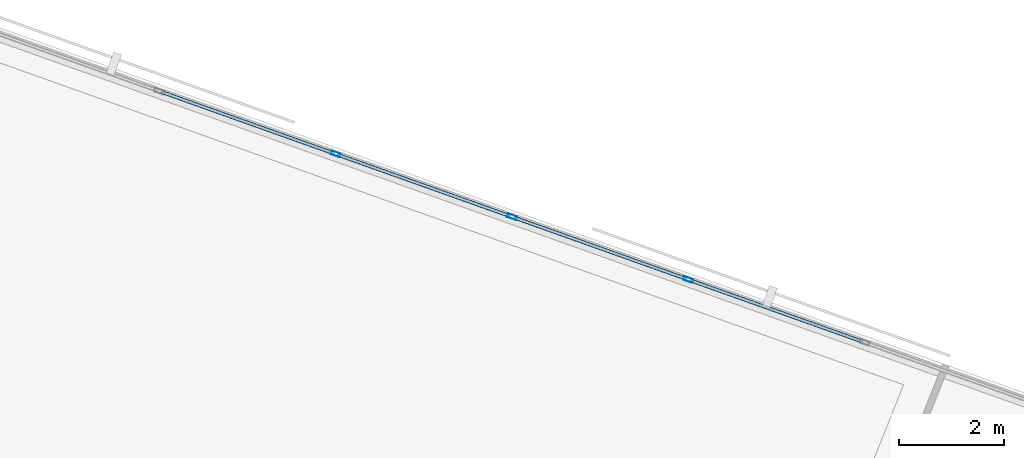
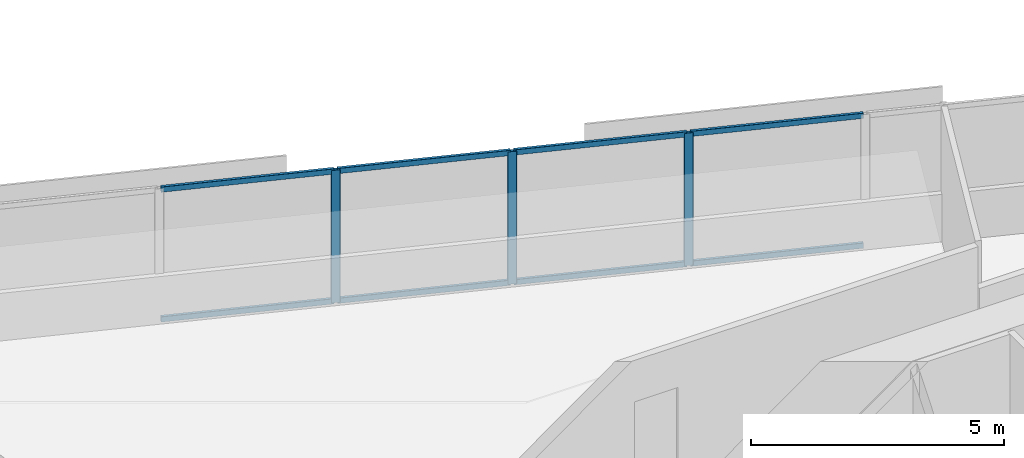
# One storey, part 7 of 14: 11 members, 1 element without a shape of its own.
"""IFC4 building model written with IfcOpenShell, lengths in metres."""

import ifcopenshell
import ifcopenshell.guid

model = None  # the IFC model being written
_history = None  # IfcOwnerHistory: only IFC2X3 demands one
_inside = {}  # id of a spatial element -> (the spatial element, [elements in it])
_under = {}  # id of a project, library or spatial element -> (it, [spatial elements below it])
_declared = {}  # id of a project -> (the project, [libraries it declares])
_typed = {}  # id of a type object -> (the type object, [elements of that type])
_made_of = {}  # id of a material, layer set ... -> (it, [elements and type objects made of it])


def new_model(schema):
    """Start an empty IFC model of exactly this schema.

    Asked for "IFC4X3", IfcOpenShell would pick the latest addendum, in which some entities
    have other attributes; the version numbers below select the first issue.
    IFC2X3 requires an IfcOwnerHistory on every rooted entity: one is made here for all.
    """
    global model, _history
    if schema == "IFC4X3":
        model = ifcopenshell.file(schema_version=(4, 3, 0, 0))
    else:
        model = ifcopenshell.file(schema=schema)
    _inside.clear()
    _under.clear()
    _declared.clear()
    _typed.clear()
    _made_of.clear()
    _history = None
    if model.schema == "IFC2X3":
        org = make("IfcOrganization", Name="unknown")
        user = make(
            "IfcPersonAndOrganization",
            ThePerson=make("IfcPerson", FamilyName="unknown"),
            TheOrganization=org,
        )
        app = make(
            "IfcApplication",
            ApplicationDeveloper=org,
            Version="unknown",
            ApplicationFullName="unknown",
            ApplicationIdentifier="unknown",
        )
        _history = make(
            "IfcOwnerHistory",
            OwningUser=user,
            OwningApplication=app,
            ChangeAction="ADDED",
            CreationDate=0,
        )
    return model


def make(cls, **values):
    """One entity of the class cls with the attributes given. An attribute that is None is left unset."""
    return model.create_entity(
        cls, **{name: value for name, value in values.items() if value is not None}
    )


def rooted(cls, **values):
    """An entity with a GlobalId (a new one), such as an element, a storey or a relation."""
    return make(cls, GlobalId=ifcopenshell.guid.new(), OwnerHistory=_history, **values)


def si_unit(unit_type, name, prefix=None):
    """IfcSIUnit, for example si_unit("LENGTHUNIT", "METRE", prefix="MILLI")."""
    return make("IfcSIUnit", UnitType=unit_type, Prefix=prefix, Name=name)


def assignment(units):
    """IfcUnitAssignment: the units of a project."""
    return None if units is None else make("IfcUnitAssignment", Units=units)


def point(xyz):
    """IfcCartesianPoint."""
    return None if xyz is None else make("IfcCartesianPoint", Coordinates=xyz)


def direction(xyz):
    """IfcDirection."""
    return None if xyz is None else make("IfcDirection", DirectionRatios=xyz)


def frame(location, z_axis=None, x_axis=None):
    """IfcAxis2Placement3D, a coordinate frame: its origin and axes. An axis left out is left unset."""
    return make(
        "IfcAxis2Placement3D",
        Location=point(location),
        Axis=direction(z_axis),
        RefDirection=direction(x_axis),
    )


def frame_2d(location, x_axis=None):
    """IfcAxis2Placement2D, a coordinate frame in the plane: its origin and x axis."""
    return make(
        "IfcAxis2Placement2D", Location=point(location), RefDirection=direction(x_axis)
    )


def origin():
    """The frame at (0, 0, 0) with its axes left unset."""
    return frame((0.0, 0.0, 0.0))


def origin_2d():
    """The frame at (0, 0) in the plane with its x axis left unset."""
    return frame_2d((0.0, 0.0))


def place(relative_to, where):
    """IfcLocalPlacement: puts the frame where relative to a parent placement (None: the world)."""
    return make(
        "IfcLocalPlacement", PlacementRelTo=relative_to, RelativePlacement=where
    )


def context(
    kind, dimensions, precision=None, world=None, true_north=None, identifier=None
):
    """IfcGeometricRepresentationContext, for example the 3D "Model" context."""
    return make(
        "IfcGeometricRepresentationContext",
        ContextIdentifier=identifier,
        ContextType=kind,
        CoordinateSpaceDimension=dimensions,
        Precision=precision,
        WorldCoordinateSystem=world,
        TrueNorth=true_north,
    )


def subcontext(parent, identifier, kind, view, scale=None):
    """IfcGeometricRepresentationSubContext, for example "Body" below "Model"."""
    return make(
        "IfcGeometricRepresentationSubContext",
        ContextIdentifier=identifier,
        ContextType=kind,
        ParentContext=parent,
        TargetScale=scale,
        TargetView=view,
    )


def project(units=None, contexts=None):
    """IfcProject with its units and contexts."""
    return rooted(
        "IfcProject",
        Name="project",
        RepresentationContexts=contexts,
        UnitsInContext=assignment(units),
    )


def spatial(cls, under=None, at=None, **own):
    """A site, building, storey or space (cls), placed at a placement, below another one or the project."""
    s = rooted(cls, ObjectPlacement=at, **own)
    if under is not None:
        _under.setdefault(under.id(), (under, []))[1].append(s)
    return s


def profile(cls, at=None, kind="AREA", **sizes):
    """A parametric profile (cls). Its sizes go by their IFC names, for example OverallWidth=200.0."""
    return make(cls, ProfileType=kind, Position=at, **sizes)


def hollow_rectangle(**sizes):
    """IfcRectangleHollowProfileDef."""
    return profile("IfcRectangleHollowProfileDef", **sizes)


def extrude(swept, where, along, depth):
    """IfcExtrudedAreaSolid: the profile swept, set in the frame where, extruded along a direction by depth."""
    return make(
        "IfcExtrudedAreaSolid",
        SweptArea=swept,
        Position=where,
        ExtrudedDirection=direction(along),
        Depth=depth,
    )


def shape(context_of_items, identifier, shape_type, items):
    """IfcShapeRepresentation: the items that make up one representation, for example the "Body"."""
    return make(
        "IfcShapeRepresentation",
        ContextOfItems=context_of_items,
        RepresentationIdentifier=identifier,
        RepresentationType=shape_type,
        Items=items,
    )


def material(Name=None, Category=None):
    """IfcMaterial."""
    return make("IfcMaterial", Name=Name, Category=Category)


def material_profile(
    of_material, cross_section, Name=None, Category=None, Priority=None
):
    """IfcMaterialProfile: a cross section and its material."""
    return make(
        "IfcMaterialProfile",
        Name=Name,
        Material=of_material,
        Profile=cross_section,
        Priority=Priority,
        Category=Category,
    )


def profile_set(profiles, Name=None, composite=None):
    """IfcMaterialProfileSet."""
    return make(
        "IfcMaterialProfileSet",
        Name=Name,
        MaterialProfiles=profiles,
        CompositeProfile=composite,
    )


def made_of(thing, what):
    """Note that an element or type object is made of a material, layer set ...; save() writes the relation."""
    if what is not None:
        _made_of.setdefault(what.id(), (what, []))[1].append(thing)
    return thing


def type_object(cls, material=None, **own):
    """A type object (cls), such as IfcWallType, which elements share."""
    return made_of(rooted(cls, **own), material)


def element(
    cls,
    number,
    at=None,
    inside=None,
    cuts=None,
    type_object=None,
    material=None,
    context=None,
    identifier="Body",
    shape_type=None,
    held_by="IfcProductDefinitionShape",
    body=None,
    shapes=None,
    **own,
):
    """One element of the class cls, such as IfcWall. Its Tag is "e" and its number.

    at: its placement. inside: the storey or other place that contains it. cuts: it is an
    opening in that element (IfcRelVoidsElement). A single representation is given by context,
    identifier, shape_type and body (its items); several are given by shapes. held_by: the class
    of the entity that holds the representations. save() writes the other relations.
    """
    e = rooted(cls, Tag="e%d" % number, ObjectPlacement=at, **own)
    if body is not None:
        shapes = [shape(context, identifier, shape_type, body)]
    if shapes is not None:
        e.Representation = make(held_by, Representations=shapes)
    if inside is not None:
        _inside.setdefault(inside.id(), (inside, []))[1].append(e)
    if cuts is not None:
        rooted(
            "IfcRelVoidsElement", RelatingBuildingElement=cuts, RelatedOpeningElement=e
        )
    if type_object is not None:
        _typed.setdefault(type_object.id(), (type_object, []))[1].append(e)
    return made_of(e, material)


def aggregate(whole, parts):
    """IfcRelAggregates: a whole, such as a stair, and the parts it consists of."""
    return rooted("IfcRelAggregates", RelatingObject=whole, RelatedObjects=parts)


def save(model, path):
    """Write the relations noted so far, then the file.

    IfcRelAggregates (storeys below a building ...), IfcRelContainedInSpatialStructure (elements
    in a storey), IfcRelDefinesByType, IfcRelAssociatesMaterial and IfcRelDeclares: one each for
    every whole, place, type object, material and project.
    """
    for whole, parts in _under.values():
        aggregate(whole, parts)
    for where, things in _inside.values():
        rooted(
            "IfcRelContainedInSpatialStructure",
            RelatedElements=things,
            RelatingStructure=where,
        )
    for kind, things in _typed.values():
        rooted("IfcRelDefinesByType", RelatedObjects=things, RelatingType=kind)
    for what, things in _made_of.values():
        rooted("IfcRelAssociatesMaterial", RelatedObjects=things, RelatingMaterial=what)
    for by, libraries in _declared.values():
        rooted("IfcRelDeclares", RelatingContext=by, RelatedDefinitions=libraries)
    model.write(path)


model = new_model("IFC4")

# Units and contexts
model_context = context("Model", 3, precision=1e-05, world=origin(), true_north=direction((0.0, 1.0)))
body_context = subcontext(model_context, "Body", "Model", "MODEL_VIEW")
ifc_project = project(units=[si_unit("LENGTHUNIT", "METRE"), si_unit("AREAUNIT", "SQUARE_METRE"), si_unit("VOLUMEUNIT", "CUBIC_METRE"), si_unit("PLANEANGLEUNIT", "RADIAN"), si_unit("MASSUNIT", "GRAM", prefix="KILO")], contexts=[model_context])

# Site, building, storey
site_placement = place(None, origin())
site = spatial("IfcSite", under=ifc_project, at=site_placement, CompositionType="ELEMENT")
building_placement = place(site_placement, origin())
building = spatial("IfcBuilding", under=site, at=building_placement, Name="Narakoshi Arena Tower", CompositionType="ELEMENT")
storey_placement = place(building_placement, frame((0.0, 0.0, 161.10009765625)))
storey = spatial("IfcBuildingStorey", under=building, at=storey_placement, Name="L43", CompositionType="ELEMENT", Elevation=161.10009765625)

# Curtain wall, members
ifc_material = material(Name="Anodised bronze aluminium 6063-T6", Category="aluminium")
curtain_wall_type = type_object("IfcCurtainWallType", Name="CW-HYP-MID", PredefinedType="NOTDEFINED", material=ifc_material)
curtain_wall_placement = place(storey_placement, origin())
curtain_wall = element("IfcCurtainWall", 1, at=curtain_wall_placement, inside=storey, type_object=curtain_wall_type, Name="L43 Folded Hypotenuse Curtain Wall 2-1", PredefinedType="NOTDEFINED")
ifc_material_profile_1 = material_profile(ifc_material, hollow_rectangle(XDim=0.074951171875, YDim=0.179931640625, WallThickness=0.00390625, OuterFilletRadius=0.0048828125, at=origin_2d()), Name="MUL180x75x4")
ifc_profile_set_1 = profile_set([ifc_material_profile_1], Name="Anodised bronze aluminium 6063-T6")
member_type_1 = type_object("IfcMemberType", Name="MEM-MUL-180", PredefinedType="MULLION", material=ifc_profile_set_1)
member_1_placement = place(storey_placement, frame((81.1259765625, 65.1083984375, 0.0), z_axis=(0.0, 0.0, 1.0), x_axis=(-0.335518297139, -0.94203368957, 0.0)))
member_1 = element("IfcMember", 2, at=member_1_placement, type_object=member_type_1, Name="CW-02 mullion 3", PredefinedType="MULLION", context=body_context, shape_type="SweptSolid", body=[
    extrude(hollow_rectangle(XDim=0.074951171875, YDim=0.179931640625, WallThickness=0.00390625, OuterFilletRadius=0.0048828125, at=origin_2d()), origin(), (0.0, 0.0, 1.0), 3.199951171875),
])
member_2_placement = place(storey_placement, frame((77.781494140625, 66.2998046875, 0.0), z_axis=(0.0, 0.0, 1.0), x_axis=(-0.335518297139, -0.94203368957, 0.0)))
member_2 = element("IfcMember", 3, at=member_2_placement, type_object=member_type_1, Name="CW-02 mullion 4", PredefinedType="MULLION", context=body_context, shape_type="SweptSolid", body=[
    extrude(hollow_rectangle(XDim=0.074951171875, YDim=0.179931640625, WallThickness=0.00390625, OuterFilletRadius=0.0048828125, at=origin_2d()), origin(), (0.0, 0.0, 1.0), 3.199951171875),
])
member_3_placement = place(storey_placement, frame((74.43701171875, 67.490966796875, 0.0), z_axis=(0.0, 0.0, 1.0), x_axis=(-0.335518297139, -0.94203368957, 0.0)))
member_3 = element("IfcMember", 4, at=member_3_placement, type_object=member_type_1, Name="CW-02 mullion 5", PredefinedType="MULLION", context=body_context, shape_type="SweptSolid", body=[
    extrude(hollow_rectangle(XDim=0.074951171875, YDim=0.179931640625, WallThickness=0.00390625, OuterFilletRadius=0.0048828125, at=origin_2d()), origin(), (0.0, 0.0, 1.0), 3.199951171875),
])
ifc_material_profile_2 = material_profile(ifc_material, hollow_rectangle(XDim=0.06494140625, YDim=0.1298828125, WallThickness=0.00390625, OuterFilletRadius=0.0048828125, at=origin_2d()), Name="TRN130x65x4")
ifc_profile_set_2 = profile_set([ifc_material_profile_2], Name="Anodised bronze aluminium 6063-T6")
member_type_2 = type_object("IfcMemberType", Name="MEM-TRN-130", PredefinedType="USERDEFINED", material=ifc_profile_set_2)
member_4_placement = place(storey_placement, frame((84.435302734375, 63.929931640625, 0.032470703125), z_axis=(-0.942037165195, 0.335508538477, 0.0), x_axis=(-0.335508538477, -0.942037165195, 0.0)))
member_4 = element("IfcMember", 5, at=member_4_placement, type_object=member_type_2, Name="CW-02 transom 2.1", ObjectType="TRANSOM", PredefinedType="USERDEFINED", context=body_context, shape_type="SweptSolid", body=[
    extrude(hollow_rectangle(XDim=0.06494140625, YDim=0.1298828125, WallThickness=0.00390625, OuterFilletRadius=0.0048828125, at=origin_2d()), origin(), (0.0, 0.0, 1.0), 3.475341796875),
])
member_5_placement = place(storey_placement, frame((84.435302734375, 63.929931640625, 3.16748046875), z_axis=(-0.942037165195, 0.335508538477, 0.0), x_axis=(-0.335508538477, -0.942037165195, 0.0)))
member_5 = element("IfcMember", 6, at=member_5_placement, type_object=member_type_2, Name="CW-02 transom 2.2", ObjectType="TRANSOM", PredefinedType="USERDEFINED", context=body_context, shape_type="SweptSolid", body=[
    extrude(hollow_rectangle(XDim=0.06494140625, YDim=0.1298828125, WallThickness=0.00390625, OuterFilletRadius=0.0048828125, at=origin_2d()), origin(), (0.0, 0.0, 1.0), 3.475341796875),
])
member_6_placement = place(storey_placement, frame((81.0908203125, 65.12109375, 0.032470703125), z_axis=(-0.942037165195, 0.335508538477, 0.0), x_axis=(-0.335508538477, -0.942037165195, 0.0)))
member_6 = element("IfcMember", 7, at=member_6_placement, type_object=member_type_2, Name="CW-02 transom 3.1", ObjectType="TRANSOM", PredefinedType="USERDEFINED", context=body_context, shape_type="SweptSolid", body=[
    extrude(hollow_rectangle(XDim=0.06494140625, YDim=0.1298828125, WallThickness=0.00390625, OuterFilletRadius=0.0048828125, at=origin_2d()), origin(), (0.0, 0.0, 1.0), 3.475341796875),
])
member_7_placement = place(storey_placement, frame((81.0908203125, 65.12109375, 3.16748046875), z_axis=(-0.942037165195, 0.335508538477, 0.0), x_axis=(-0.335508538477, -0.942037165195, 0.0)))
member_7 = element("IfcMember", 8, at=member_7_placement, type_object=member_type_2, Name="CW-02 transom 3.2", ObjectType="TRANSOM", PredefinedType="USERDEFINED", context=body_context, shape_type="SweptSolid", body=[
    extrude(hollow_rectangle(XDim=0.06494140625, YDim=0.1298828125, WallThickness=0.00390625, OuterFilletRadius=0.0048828125, at=origin_2d()), origin(), (0.0, 0.0, 1.0), 3.475341796875),
])
member_8_placement = place(storey_placement, frame((77.74609375, 66.312255859375, 0.032470703125), z_axis=(-0.942029256779, 0.335530742813, 0.0), x_axis=(-0.335530742813, -0.942029256779, 0.0)))
member_8 = element("IfcMember", 9, at=member_8_placement, type_object=member_type_2, Name="CW-02 transom 4.1", ObjectType="TRANSOM", PredefinedType="USERDEFINED", context=body_context, shape_type="SweptSolid", body=[
    extrude(hollow_rectangle(XDim=0.06494140625, YDim=0.1298828125, WallThickness=0.00390625, OuterFilletRadius=0.0048828125, at=origin_2d()), origin(), (0.0, 0.0, 1.0), 3.47509765625),
])
member_9_placement = place(storey_placement, frame((77.74609375, 66.312255859375, 3.16748046875), z_axis=(-0.942029256779, 0.335530742813, 0.0), x_axis=(-0.335530742813, -0.942029256779, 0.0)))
member_9 = element("IfcMember", 10, at=member_9_placement, type_object=member_type_2, Name="CW-02 transom 4.2", ObjectType="TRANSOM", PredefinedType="USERDEFINED", context=body_context, shape_type="SweptSolid", body=[
    extrude(hollow_rectangle(XDim=0.06494140625, YDim=0.1298828125, WallThickness=0.00390625, OuterFilletRadius=0.0048828125, at=origin_2d()), origin(), (0.0, 0.0, 1.0), 3.47509765625),
])
member_10_placement = place(storey_placement, frame((74.401611328125, 67.50341796875, 0.032470703125), z_axis=(-0.942037165195, 0.335508538477, 0.0), x_axis=(-0.335508538477, -0.942037165195, 0.0)))
member_10 = element("IfcMember", 11, at=member_10_placement, type_object=member_type_2, Name="CW-02 transom 5.1", ObjectType="TRANSOM", PredefinedType="USERDEFINED", context=body_context, shape_type="SweptSolid", body=[
    extrude(hollow_rectangle(XDim=0.06494140625, YDim=0.1298828125, WallThickness=0.00390625, OuterFilletRadius=0.0048828125, at=origin_2d()), origin(), (0.0, 0.0, 1.0), 3.475341796875),
])
member_11_placement = place(storey_placement, frame((74.401611328125, 67.50341796875, 3.16748046875), z_axis=(-0.942037165195, 0.335508538477, 0.0), x_axis=(-0.335508538477, -0.942037165195, 0.0)))
member_11 = element("IfcMember", 12, at=member_11_placement, type_object=member_type_2, Name="CW-02 transom 5.2", ObjectType="TRANSOM", PredefinedType="USERDEFINED", context=body_context, shape_type="SweptSolid", body=[
    extrude(hollow_rectangle(XDim=0.06494140625, YDim=0.1298828125, WallThickness=0.00390625, OuterFilletRadius=0.0048828125, at=origin_2d()), origin(), (0.0, 0.0, 1.0), 3.475341796875),
])
aggregate(curtain_wall, [member_1, member_2, member_3, member_4, member_5, member_6, member_7, member_8, member_9, member_10, member_11])

save(model, "model.ifc")
